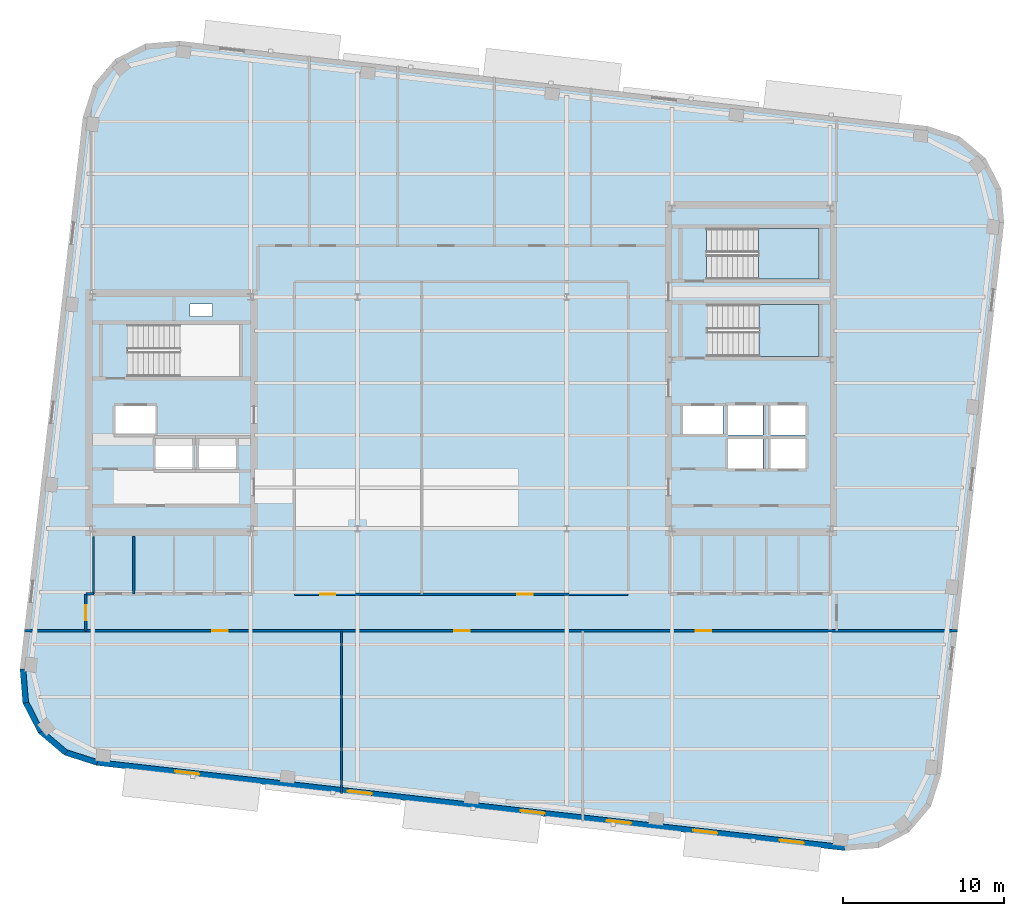
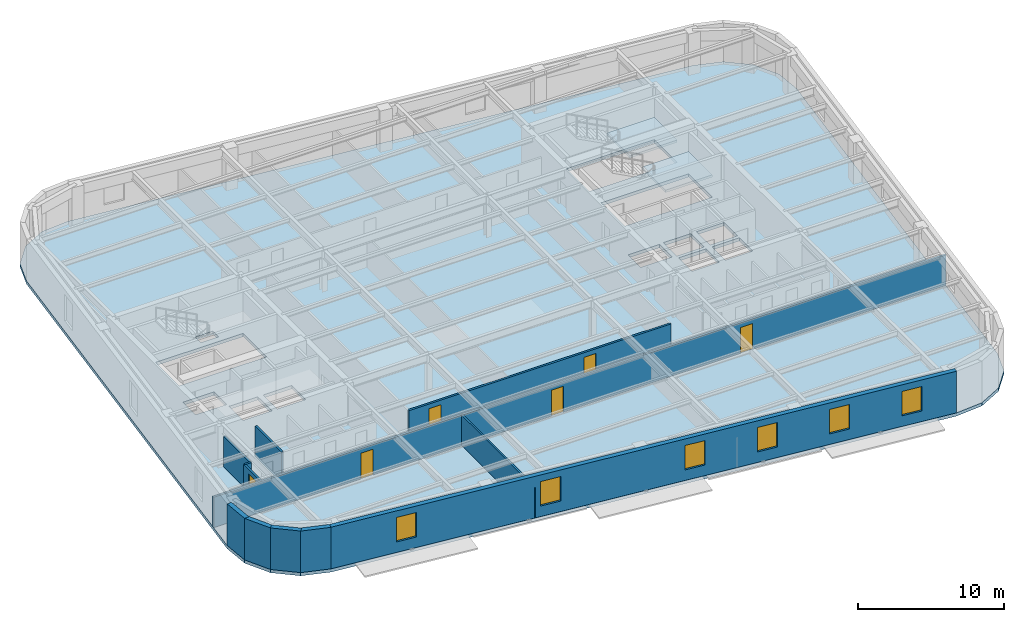
# One storey, part 5 of 13: 12 walls, 6 doors, 6 windows, 3 slabs, 12 openings, 2 elements without a shape of their own.
"""IFC4 building model written with IfcOpenShell, lengths in metres."""

from ifc_helpers import new_model, si_unit, direction, frame, frame_2d, origin, place, context, subcontext, project, spatial, polyline, rectangle, outline, extrude, material, layer, layer_set, type_object, element, fill, aggregate, save


model = new_model("IFC4")

# Units and contexts
model_context = context("Model", 3, precision=1e-05, world=origin(), true_north=direction((0.0, 1.0)))
body_context = subcontext(model_context, "Body", "Model", "MODEL_VIEW")
ifc_project = project(units=[si_unit("LENGTHUNIT", "METRE"), si_unit("AREAUNIT", "SQUARE_METRE"), si_unit("VOLUMEUNIT", "CUBIC_METRE"), si_unit("PLANEANGLEUNIT", "RADIAN"), si_unit("MASSUNIT", "GRAM", prefix="KILO")], contexts=[model_context])

# Site, building, storey
site_placement = place(None, origin())
site = spatial("IfcSite", under=ifc_project, at=site_placement, CompositionType="ELEMENT")
building_placement = place(site_placement, origin())
building = spatial("IfcBuilding", under=site, at=building_placement, Name="Kolvaren Arena Tower", CompositionType="ELEMENT")
storey_placement = place(building_placement, frame((0.0, 0.0, 254.699951171875)))
storey = spatial("IfcBuildingStorey", under=building, at=storey_placement, Name="L62", CompositionType="ELEMENT", Elevation=254.699951171875)

# Stair, slab
ifc_material_1 = material(Name="Concrete 45 MPa", Category="concrete")
stair_type_1 = type_object("IfcStairType", Name="STAIR-CORE-165", PredefinedType="HALF_TURN_STAIR", material=ifc_material_1)
stair_1_placement = place(storey_placement, origin())
stair_1 = element("IfcStair", 1, at=stair_1_placement, inside=storey, type_object=stair_type_1, Name="L62 ST-E1", PredefinedType="HALF_TURN_STAIR")
ifc_layer_1 = layer(ifc_material_1, 0.199951171875)
ifc_layer_set_1 = layer_set([ifc_layer_1], Name="Concrete 45 MPa")
slab_type_1 = type_object("IfcSlabType", Name="SLAB-LAND", PredefinedType="LANDING", material=ifc_layer_set_1)
slab_1_placement = place(storey_placement, frame((0.0, 0.0, 1.675048828125)))
slab_1 = element("IfcSlab", 2, at=slab_1_placement, type_object=slab_type_1, Name="ST-E1 landing 1", PredefinedType="LANDING", context=body_context, shape_type="SweptSolid", body=[
    extrude(outline(polyline([(55.9599609375, 30.14990234375), (59.659912109375, 30.14990234375), (59.659912109375, 33.3798828125), (55.9599609375, 33.3798828125), (55.9599609375, 30.14990234375)])), origin(), (0.0, 0.0, 1.0), 0.199951171875),
])
aggregate(stair_1, [slab_1])

stair_type_2 = type_object("IfcStairType", Name="STAIR-CORE-150", PredefinedType="HALF_TURN_STAIR", material=ifc_material_1)
stair_2_placement = place(storey_placement, origin())
stair_2 = element("IfcStair", 3, at=stair_2_placement, inside=storey, type_object=stair_type_2, Name="L62 ST-E2", PredefinedType="HALF_TURN_STAIR")
slab_2_placement = place(storey_placement, frame((0.0, 0.0, 1.675048828125)))
slab_2 = element("IfcSlab", 4, at=slab_2_placement, type_object=slab_type_1, Name="ST-E2 landing 1", PredefinedType="LANDING", context=body_context, shape_type="SweptSolid", body=[
    extrude(outline(polyline([(55.919921875, 34.949951171875), (59.659912109375, 34.949951171875), (59.659912109375, 38.10009765625), (55.919921875, 38.10009765625), (55.919921875, 34.949951171875)])), origin(), (0.0, 0.0, 1.0), 0.199951171875),
])
aggregate(stair_2, [slab_2])

# Slab
ifc_layer_2 = layer(ifc_material_1, 0.27001953125)
ifc_layer_set_2 = layer_set([ifc_layer_2], Name="Concrete 45 MPa")
slab_type_2 = type_object("IfcSlabType", Name="SLAB-OFF2", PredefinedType="FLOOR", material=ifc_layer_set_2)
slab_3_placement = place(storey_placement, frame((0.0, 0.0, -0.27001953125)))
element("IfcSlab", 5, at=slab_3_placement, inside=storey, type_object=slab_type_2, Name="L62 Primary Structural Slab", PredefinedType="FLOOR", context=body_context, shape_type="SweptSolid", body=[
    extrude(outline(polyline([(61.285400390625, -0.553466796875), (63.38525390625, -0.37890625), (65.25830078125, 0.585693359375), (66.619873046875, 2.194091796875), (67.26220703125, 4.20068359375), (71.16748046875, 38.47900390625), (70.9931640625, 40.57861328125), (70.0283203125, 42.45166015625), (68.42041015625, 43.81298828125), (66.41357421875, 44.455322265625), (19.91455078125, 49.75341796875), (17.814697265625, 49.578857421875), (15.941650390625, 48.6142578125), (14.580078125, 47.006103515625), (13.93798828125, 44.99951171875), (10.032470703125, 10.72119140625), (10.206787109375, 8.621337890625), (11.171630859375, 6.748291015625), (12.77978515625, 5.386962890625), (14.786376953125, 4.74462890625), (61.285400390625, -0.553466796875)]), holes=[polyline([(20.739990234375, 23.135009765625), (18.4599609375, 23.135009765625), (18.4599609375, 25.06494140625), (20.739990234375, 25.06494140625), (20.739990234375, 23.135009765625)]), polyline([(21.159912109375, 23.135009765625), (21.159912109375, 25.06494140625), (23.43994140625, 25.06494140625), (23.43994140625, 23.135009765625), (21.159912109375, 23.135009765625)]), polyline([(56.2099609375, 23.18505859375), (54.030029296875, 23.18505859375), (54.030029296875, 25.014892578125), (56.2099609375, 25.014892578125), (56.2099609375, 23.18505859375)]), polyline([(56.669921875, 23.18505859375), (56.669921875, 25.014892578125), (58.85009765625, 25.014892578125), (58.85009765625, 23.18505859375), (56.669921875, 23.18505859375)]), polyline([(54.030029296875, 25.284912109375), (54.030029296875, 27.114990234375), (56.2099609375, 27.114990234375), (56.2099609375, 25.284912109375), (54.030029296875, 25.284912109375)]), polyline([(58.85009765625, 25.284912109375), (56.669921875, 25.284912109375), (56.669921875, 27.114990234375), (58.85009765625, 27.114990234375), (58.85009765625, 25.284912109375)]), polyline([(15.9599609375, 25.3349609375), (15.9599609375, 27.06494140625), (18.43994140625, 27.06494140625), (18.43994140625, 25.3349609375), (15.9599609375, 25.3349609375)]), polyline([(53.699951171875, 25.3349609375), (51.219970703125, 25.3349609375), (51.219970703125, 27.06494140625), (53.699951171875, 27.06494140625), (53.699951171875, 25.3349609375)]), polyline([(16.735107421875, 28.89990234375), (16.735107421875, 32.1298828125), (23.659912109375, 32.1298828125), (23.659912109375, 28.89990234375), (16.735107421875, 28.89990234375)]), polyline([(52.735107421875, 30.14990234375), (52.735107421875, 33.3798828125), (59.659912109375, 33.3798828125), (59.659912109375, 30.14990234375), (52.735107421875, 30.14990234375)]), polyline([(20.60009765625, 32.6201171875), (20.60009765625, 33.39990234375), (22.0, 33.39990234375), (22.0, 32.6201171875), (20.60009765625, 32.6201171875)]), polyline([(52.695068359375, 34.949951171875), (52.695068359375, 38.10009765625), (59.659912109375, 38.10009765625), (59.659912109375, 34.949951171875), (52.695068359375, 34.949951171875)])]), origin(), (0.0, 0.0, 1.0), 0.27001953125),
])

# Wall, openings, doors
ifc_material_2 = material(Name="Gypsum board acoustic assembly", Category="gypsum")
ifc_layer_3 = layer(ifc_material_2, 0.159912109375)
ifc_layer_set_3 = layer_set([ifc_layer_3], Name="Gypsum board acoustic assembly")
wall_type_1 = type_object("IfcWallType", Name="CORR-160", PredefinedType="PARTITIONING", material=ifc_layer_set_3)
wall_1_placement = place(storey_placement, frame((10.303466796875, 13.10009765625, 0.0), z_axis=(0.0, 0.0, 1.0), x_axis=(1.0, 0.0, 0.0)))
wall_1 = element("IfcWall", 6, at=wall_1_placement, inside=storey, type_object=wall_type_1, Name="Interior Partition Wall (L62)", PredefinedType="PARTITIONING", context=body_context, shape_type="SweptSolid", body=[
    extrude(rectangle(XDim=57.97265625, YDim=0.159912109375, at=frame_2d((28.986328125, 0.0))), origin(), (0.0, 0.0, 1.0), 2.5400390625),
])
opening_1_placement = place(wall_1_placement, frame((11.671630859375, 0.0, 0.0)))
opening_1 = element("IfcOpeningElement", 7, at=opening_1_placement, cuts=wall_1, Name="Opening D05", PredefinedType="OPENING", context=body_context, shape_type="SweptSolid", body=[
    extrude(rectangle(XDim=0.949951171875, YDim=2.14990234375, at=frame_2d((0.47509765625, 1.074951171875))), frame((0.0, 0.08984375, 0.0), z_axis=(0.0, -1.0, 0.0), x_axis=(1.0, 0.0, 0.0)), (0.0, 0.0, 1.0), 0.179931640625),
])
opening_2_placement = place(wall_1_placement, frame((26.7216796875, 0.0, 0.0)))
opening_2 = element("IfcOpeningElement", 8, at=opening_2_placement, cuts=wall_1, Name="Opening D05", PredefinedType="OPENING", context=body_context, shape_type="SweptSolid", body=[
    extrude(rectangle(XDim=0.949951171875, YDim=2.14990234375, at=frame_2d((0.47509765625, 1.074951171875))), frame((0.0, 0.08984375, 0.0), z_axis=(0.0, -1.0, 0.0), x_axis=(1.0, 0.0, 0.0)), (0.0, 0.0, 1.0), 0.179931640625),
])
opening_3_placement = place(wall_1_placement, frame((41.7216796875, 0.0, 0.0)))
opening_3 = element("IfcOpeningElement", 9, at=opening_3_placement, cuts=wall_1, Name="Opening D05", PredefinedType="OPENING", context=body_context, shape_type="SweptSolid", body=[
    extrude(rectangle(XDim=0.949951171875, YDim=2.14990234375, at=frame_2d((0.47509765625, 1.074951171875))), frame((0.0, 0.08984375, 0.0), z_axis=(0.0, -1.0, 0.0), x_axis=(1.0, 0.0, 0.0)), (0.0, 0.0, 1.0), 0.179931640625),
])
ifc_material_3 = material(Name="Solid-core oak acoustic office door", Category="wood")
door_type = type_object("IfcDoorType", Name="DOOR-OF-095", OperationType="NOTDEFINED", PredefinedType="DOOR", material=ifc_material_3)
door_1_placement = place(opening_1_placement, origin())
door_1 = element("IfcDoor", 10, at=door_1_placement, inside=storey, type_object=door_type, Name="Open Plan Office Door (L62)", OperationType="SINGLE_SWING_RIGHT", OverallHeight=2.14990234375, OverallWidth=0.949951171875, PredefinedType="DOOR", context=body_context, shape_type="SweptSolid", body=[
    extrude(rectangle(XDim=0.949951171875, YDim=2.14990234375, at=frame_2d((0.47509765625, 1.074951171875))), frame((0.0, 0.02490234375, 0.0), z_axis=(0.0, -1.0, 0.0), x_axis=(1.0, 0.0, 0.0)), (0.0, 0.0, 1.0), 0.050048828125),
])
fill(opening_1, door_1)
door_2_placement = place(opening_2_placement, origin())
door_2 = element("IfcDoor", 11, at=door_2_placement, inside=storey, type_object=door_type, Name="Tenant Reception Area Door (L62)", OperationType="SINGLE_SWING_LEFT", OverallHeight=2.14990234375, OverallWidth=0.949951171875, PredefinedType="DOOR", context=body_context, shape_type="SweptSolid", body=[
    extrude(rectangle(XDim=0.949951171875, YDim=2.14990234375, at=frame_2d((0.47509765625, 1.074951171875))), frame((0.0, 0.02490234375, 0.0), z_axis=(0.0, -1.0, 0.0), x_axis=(1.0, 0.0, 0.0)), (0.0, 0.0, 1.0), 0.050048828125),
])
fill(opening_2, door_2)
door_3_placement = place(opening_3_placement, origin())
door_3 = element("IfcDoor", 12, at=door_3_placement, inside=storey, type_object=door_type, Name="Open Plan Office Door (L62)", OperationType="SINGLE_SWING_RIGHT", OverallHeight=2.14990234375, OverallWidth=0.949951171875, PredefinedType="DOOR", context=body_context, shape_type="SweptSolid", body=[
    extrude(rectangle(XDim=0.949951171875, YDim=2.14990234375, at=frame_2d((0.47509765625, 1.074951171875))), frame((0.0, 0.02490234375, 0.0), z_axis=(0.0, -1.0, 0.0), x_axis=(1.0, 0.0, 0.0)), (0.0, 0.0, 1.0), 0.050048828125),
])
fill(opening_3, door_3)

wall_2_placement = place(storey_placement, frame((27.080078125, 15.3798828125, 0.0), z_axis=(0.0, 0.0, 1.0), x_axis=(1.0, 0.0, 0.0)))
wall_2 = element("IfcWall", 13, at=wall_2_placement, inside=storey, type_object=wall_type_1, Name="Interior Partition Wall (L62)", PredefinedType="PARTITIONING", context=body_context, shape_type="SweptSolid", body=[
    extrude(rectangle(XDim=20.739990234375, YDim=0.159912109375, at=frame_2d((10.3701171875, 0.0))), origin(), (0.0, 0.0, 1.0), 2.5400390625),
])
opening_4_placement = place(wall_2_placement, frame((1.594970703125, 0.0, 0.0)))
opening_4 = element("IfcOpeningElement", 14, at=opening_4_placement, cuts=wall_2, Name="Opening D05", PredefinedType="OPENING", context=body_context, shape_type="SweptSolid", body=[
    extrude(rectangle(XDim=0.949951171875, YDim=2.14990234375, at=frame_2d((0.47509765625, 1.074951171875))), frame((0.0, 0.08984375, 0.0), z_axis=(0.0, -1.0, 0.0), x_axis=(1.0, 0.0, 0.0)), (0.0, 0.0, 1.0), 0.179931640625),
])
opening_5_placement = place(wall_2_placement, frame((13.844970703125, 0.0, 0.0)))
opening_5 = element("IfcOpeningElement", 15, at=opening_5_placement, cuts=wall_2, Name="Opening D05", PredefinedType="OPENING", context=body_context, shape_type="SweptSolid", body=[
    extrude(rectangle(XDim=0.949951171875, YDim=2.14990234375, at=frame_2d((0.47509765625, 1.074951171875))), frame((0.0, 0.08984375, 0.0), z_axis=(0.0, -1.0, 0.0), x_axis=(1.0, 0.0, 0.0)), (0.0, 0.0, 1.0), 0.179931640625),
])
door_4_placement = place(opening_4_placement, origin())
door_4 = element("IfcDoor", 16, at=door_4_placement, inside=storey, type_object=door_type, Name="Open Plan Office Door (L62)", OperationType="SINGLE_SWING_RIGHT", OverallHeight=2.14990234375, OverallWidth=0.949951171875, PredefinedType="DOOR", context=body_context, shape_type="SweptSolid", body=[
    extrude(rectangle(XDim=0.949951171875, YDim=2.14990234375, at=frame_2d((0.47509765625, 1.074951171875))), frame((0.0, 0.02490234375, 0.0), z_axis=(0.0, -1.0, 0.0), x_axis=(1.0, 0.0, 0.0)), (0.0, 0.0, 1.0), 0.050048828125),
])
fill(opening_4, door_4)
door_5_placement = place(opening_5_placement, origin())
door_5 = element("IfcDoor", 17, at=door_5_placement, inside=storey, type_object=door_type, Name="Collaborative Work Studio Door (L62)", OperationType="SINGLE_SWING_LEFT", OverallHeight=2.14990234375, OverallWidth=0.949951171875, PredefinedType="DOOR", context=body_context, shape_type="SweptSolid", body=[
    extrude(rectangle(XDim=0.949951171875, YDim=2.14990234375, at=frame_2d((0.47509765625, 1.074951171875))), frame((0.0, 0.02490234375, 0.0), z_axis=(0.0, -1.0, 0.0), x_axis=(1.0, 0.0, 0.0)), (0.0, 0.0, 1.0), 0.050048828125),
])
fill(opening_5, door_5)

# Wall, opening, door
wall_3_placement = place(storey_placement, frame((14.1201171875, 13.10009765625, 0.0), z_axis=(0.0, 0.0, 1.0), x_axis=(0.0, 1.0, 0.0)))
wall_3 = element("IfcWall", 18, at=wall_3_placement, inside=storey, type_object=wall_type_1, Name="Interior Partition Wall (L62)", PredefinedType="PARTITIONING", context=body_context, shape_type="SweptSolid", body=[
    extrude(rectangle(XDim=2.2998046875, YDim=0.159912109375, at=frame_2d((1.14990234375, 0.0))), origin(), (0.0, 0.0, 1.0), 2.5400390625),
])
opening_6_placement = place(wall_3_placement, frame((0.64990234375, 0.0, 0.0)))
opening_6 = element("IfcOpeningElement", 19, at=opening_6_placement, cuts=wall_3, Name="Opening D05", PredefinedType="OPENING", context=body_context, shape_type="SweptSolid", body=[
    extrude(rectangle(XDim=0.949951171875, YDim=2.14990234375, at=frame_2d((0.47509765625, 1.074951171875))), frame((0.0, 0.08984375, 0.0), z_axis=(0.0, -1.0, 0.0), x_axis=(1.0, 0.0, 0.0)), (0.0, 0.0, 1.0), 0.179931640625),
])
door_6_placement = place(opening_6_placement, origin())
door_6 = element("IfcDoor", 20, at=door_6_placement, inside=storey, type_object=door_type, Name="West Wing Office Door (L62)", OperationType="SINGLE_SWING_LEFT", OverallHeight=2.14990234375, OverallWidth=0.949951171875, PredefinedType="DOOR", context=body_context, shape_type="SweptSolid", body=[
    extrude(rectangle(XDim=0.949951171875, YDim=2.14990234375, at=frame_2d((0.47509765625, 1.074951171875))), frame((0.0, 0.02490234375, 0.0), z_axis=(0.0, -1.0, 0.0), x_axis=(1.0, 0.0, 0.0)), (0.0, 0.0, 1.0), 0.050048828125),
])
fill(opening_6, door_6)

# Walls
wall_4_placement = place(storey_placement, frame((14.1201171875, 15.39990234375, 0.0), z_axis=(0.0, 0.0, 1.0), x_axis=(1.0, 0.0, 0.0)))
element("IfcWall", 21, at=wall_4_placement, inside=storey, type_object=wall_type_1, Name="Interior Partition Wall (L62)", PredefinedType="PARTITIONING", context=body_context, shape_type="SweptSolid", body=[
    extrude(rectangle(XDim=0.5, YDim=0.159912109375, at=frame_2d((0.25, 0.0))), origin(), (0.0, 0.0, 1.0), 2.5400390625),
])
ifc_material_4 = material(Name="Precast concrete C50/60", Category="concrete")
ifc_layer_4 = layer(ifc_material_4, 0.360107421875)
ifc_layer_set_4 = layer_set([ifc_layer_4], Name="Precast concrete C50/60")
wall_type_2 = type_object("IfcWallType", Name="EXT-PIER2", PredefinedType="SOLIDWALL", material=ifc_layer_set_4)
wall_5_placement = place(storey_placement, frame((10.38623046875, 8.63623046875, 0.0), z_axis=(0.0, 0.0, 1.0), x_axis=(-0.082729038891, 0.996572077737, 0.0)))
element("IfcWall", 22, at=wall_5_placement, inside=storey, type_object=wall_type_2, Name="Exterior Precast Masonry-Frame Wall (L62)", PredefinedType="SOLIDWALL", context=body_context, shape_type="SweptSolid", body=[
    extrude(rectangle(XDim=2.107177734375, YDim=0.360107421875, at=frame_2d((1.0537109375, 0.0))), origin(), (0.0, 0.0, 1.0), 3.47998046875),
])
for number, where, z_axis, x_axis, name in (
    (23, (11.33154296875, 6.830810546875, 0.0), (0.0, 0.0, 1.0), (-0.457934390142, 0.888985992199, 0.0), "Exterior Precast Masonry-Frame Wall (L62)"),
    (24, (12.89599609375, 5.5244140625, 0.0), (0.0, 0.0, 1.0), (-0.763250018691, 0.646103249464, 0.0), "Exterior Precast Masonry-Frame Wall (L62)"),
    (25, (14.84130859375, 4.916015625, 0.0), (0.0, 0.0, 1.0), (-0.952393196904, 0.304872429864, 0.0), "Exterior Precast Masonry-Frame Wall (L62)"),
):
    element("IfcWall", number, at=place(storey_placement, frame(where, z_axis=z_axis, x_axis=x_axis)), inside=storey, type_object=wall_type_2, Name=name, PredefinedType="SOLIDWALL", context=body_context, shape_type="SweptSolid", body=[
        extrude(rectangle(XDim=2.10693359375, YDim=0.360107421875, at=frame_2d((1.053466796875, 0.0))), origin(), (0.0, 0.0, 1.0), 3.47998046875),
    ])

# Wall, openings, windows
wall_6_placement = place(storey_placement, frame((61.305908203125, -0.37451171875, 0.0), z_axis=(0.0, 0.0, 1.0), x_axis=(-0.993571958919, 0.113202307616, 0.0)))
wall_6 = element("IfcWall", 26, at=wall_6_placement, inside=storey, type_object=wall_type_2, Name="Exterior Precast Masonry-Frame Wall (L62)", PredefinedType="SOLIDWALL", context=body_context, shape_type="SweptSolid", body=[
    extrude(rectangle(XDim=46.7998046875, YDim=0.360107421875, at=frame_2d((23.39990234375, 0.0))), origin(), (0.0, 0.0, 1.0), 3.47998046875),
])
opening_7_placement = place(wall_6_placement, frame((2.60009765625, 0.0, 0.8798828125)))
opening_7 = element("IfcOpeningElement", 27, at=opening_7_placement, cuts=wall_6, Name="Opening W03", PredefinedType="OPENING", context=body_context, shape_type="SweptSolid", body=[
    extrude(rectangle(XDim=1.5, YDim=2.050048828125, at=frame_2d((0.75, 1.02490234375))), frame((0.0, 0.18994140625, 0.0), z_axis=(0.0, -1.0, 0.0), x_axis=(1.0, 0.0, 0.0)), (0.0, 0.0, 1.0), 0.380126953125),
])
opening_8_placement = place(wall_6_placement, frame((8.0, 0.0, 0.8798828125)))
opening_8 = element("IfcOpeningElement", 28, at=opening_8_placement, cuts=wall_6, Name="Opening W03", PredefinedType="OPENING", context=body_context, shape_type="SweptSolid", body=[
    extrude(rectangle(XDim=1.5, YDim=2.050048828125, at=frame_2d((0.75, 1.02490234375))), frame((0.0, 0.18994140625, 0.0), z_axis=(0.0, -1.0, 0.0), x_axis=(1.0, 0.0, 0.0)), (0.0, 0.0, 1.0), 0.380126953125),
])
opening_9_placement = place(wall_6_placement, frame((13.39990234375, 0.0, 0.8798828125)))
opening_9 = element("IfcOpeningElement", 29, at=opening_9_placement, cuts=wall_6, Name="Opening W03", PredefinedType="OPENING", context=body_context, shape_type="SweptSolid", body=[
    extrude(rectangle(XDim=1.5, YDim=2.050048828125, at=frame_2d((0.75, 1.02490234375))), frame((0.0, 0.18994140625, 0.0), z_axis=(0.0, -1.0, 0.0), x_axis=(1.0, 0.0, 0.0)), (0.0, 0.0, 1.0), 0.380126953125),
])
opening_10_placement = place(wall_6_placement, frame((18.800048828125, 0.0, 0.8798828125)))
opening_10 = element("IfcOpeningElement", 30, at=opening_10_placement, cuts=wall_6, Name="Opening W03", PredefinedType="OPENING", context=body_context, shape_type="SweptSolid", body=[
    extrude(rectangle(XDim=1.5, YDim=2.050048828125, at=frame_2d((0.75, 1.02490234375))), frame((0.0, 0.18994140625, 0.0), z_axis=(0.0, -1.0, 0.0), x_axis=(1.0, 0.0, 0.0)), (0.0, 0.0, 1.0), 0.380126953125),
])
opening_11_placement = place(wall_6_placement, frame((29.60009765625, 0.0, 0.8798828125)))
opening_11 = element("IfcOpeningElement", 31, at=opening_11_placement, cuts=wall_6, Name="Opening W03", PredefinedType="OPENING", context=body_context, shape_type="SweptSolid", body=[
    extrude(rectangle(XDim=1.5, YDim=2.050048828125, at=frame_2d((0.75, 1.02490234375))), frame((0.0, 0.18994140625, 0.0), z_axis=(0.0, -1.0, 0.0), x_axis=(1.0, 0.0, 0.0)), (0.0, 0.0, 1.0), 0.380126953125),
])
opening_12_placement = place(wall_6_placement, frame((40.39990234375, 0.0, 0.8798828125)))
opening_12 = element("IfcOpeningElement", 32, at=opening_12_placement, cuts=wall_6, Name="Opening W03", PredefinedType="OPENING", context=body_context, shape_type="SweptSolid", body=[
    extrude(rectangle(XDim=1.5, YDim=2.050048828125, at=frame_2d((0.75, 1.02490234375))), frame((0.0, 0.18994140625, 0.0), z_axis=(0.0, -1.0, 0.0), x_axis=(1.0, 0.0, 0.0)), (0.0, 0.0, 1.0), 0.380126953125),
])
ifc_material_5 = material(Name="Triple-glazed low-E aluminium window", Category="aluminium")
window_type = type_object("IfcWindowType", Name="WIN-OFF-C", PartitioningType="SINGLE_PANEL", PredefinedType="WINDOW", material=ifc_material_5)
window_1_placement = place(opening_7_placement, origin())
window_1 = element("IfcWindow", 33, at=window_1_placement, inside=storey, type_object=window_type, Name="Punched Precast-Pier Window (L62)", OverallHeight=2.050048828125, OverallWidth=1.5, PartitioningType="SINGLE_PANEL", PredefinedType="WINDOW", context=body_context, shape_type="SweptSolid", body=[
    extrude(rectangle(XDim=1.5, YDim=2.050048828125, at=frame_2d((0.75, 1.02490234375))), frame((0.0, 0.030029296875, 0.0), z_axis=(0.0, -1.0, 0.0), x_axis=(1.0, 0.0, 0.0)), (0.0, 0.0, 1.0), 0.06005859375),
])
fill(opening_7, window_1)
window_2_placement = place(opening_8_placement, origin())
window_2 = element("IfcWindow", 34, at=window_2_placement, inside=storey, type_object=window_type, Name="Punched Precast-Pier Window (L62)", OverallHeight=2.050048828125, OverallWidth=1.5, PartitioningType="SINGLE_PANEL", PredefinedType="WINDOW", context=body_context, shape_type="SweptSolid", body=[
    extrude(rectangle(XDim=1.5, YDim=2.050048828125, at=frame_2d((0.75, 1.02490234375))), frame((0.0, 0.030029296875, 0.0), z_axis=(0.0, -1.0, 0.0), x_axis=(1.0, 0.0, 0.0)), (0.0, 0.0, 1.0), 0.06005859375),
])
fill(opening_8, window_2)
window_3_placement = place(opening_9_placement, origin())
window_3 = element("IfcWindow", 35, at=window_3_placement, inside=storey, type_object=window_type, Name="Punched Precast-Pier Window (L62)", OverallHeight=2.050048828125, OverallWidth=1.5, PartitioningType="SINGLE_PANEL", PredefinedType="WINDOW", context=body_context, shape_type="SweptSolid", body=[
    extrude(rectangle(XDim=1.5, YDim=2.050048828125, at=frame_2d((0.75, 1.02490234375))), frame((0.0, 0.030029296875, 0.0), z_axis=(0.0, -1.0, 0.0), x_axis=(1.0, 0.0, 0.0)), (0.0, 0.0, 1.0), 0.06005859375),
])
fill(opening_9, window_3)
window_4_placement = place(opening_10_placement, origin())
window_4 = element("IfcWindow", 36, at=window_4_placement, inside=storey, type_object=window_type, Name="Punched Precast-Pier Window (L62)", OverallHeight=2.050048828125, OverallWidth=1.5, PartitioningType="SINGLE_PANEL", PredefinedType="WINDOW", context=body_context, shape_type="SweptSolid", body=[
    extrude(rectangle(XDim=1.5, YDim=2.050048828125, at=frame_2d((0.75, 1.02490234375))), frame((0.0, 0.030029296875, 0.0), z_axis=(0.0, -1.0, 0.0), x_axis=(1.0, 0.0, 0.0)), (0.0, 0.0, 1.0), 0.06005859375),
])
fill(opening_10, window_4)
window_5_placement = place(opening_11_placement, origin())
window_5 = element("IfcWindow", 37, at=window_5_placement, inside=storey, type_object=window_type, Name="Punched Precast-Pier Window (L62)", OverallHeight=2.050048828125, OverallWidth=1.5, PartitioningType="SINGLE_PANEL", PredefinedType="WINDOW", context=body_context, shape_type="SweptSolid", body=[
    extrude(rectangle(XDim=1.5, YDim=2.050048828125, at=frame_2d((0.75, 1.02490234375))), frame((0.0, 0.030029296875, 0.0), z_axis=(0.0, -1.0, 0.0), x_axis=(1.0, 0.0, 0.0)), (0.0, 0.0, 1.0), 0.06005859375),
])
fill(opening_11, window_5)
window_6_placement = place(opening_12_placement, origin())
window_6 = element("IfcWindow", 38, at=window_6_placement, inside=storey, type_object=window_type, Name="Punched Precast-Pier Window (L62)", OverallHeight=2.050048828125, OverallWidth=1.5, PartitioningType="SINGLE_PANEL", PredefinedType="WINDOW", context=body_context, shape_type="SweptSolid", body=[
    extrude(rectangle(XDim=1.5, YDim=2.050048828125, at=frame_2d((0.75, 1.02490234375))), frame((0.0, 0.030029296875, 0.0), z_axis=(0.0, -1.0, 0.0), x_axis=(1.0, 0.0, 0.0)), (0.0, 0.0, 1.0), 0.06005859375),
])
fill(opening_12, window_6)

# Walls
ifc_material_6 = material(Name="Gypsum board partition assembly", Category="gypsum")
ifc_layer_5 = layer(ifc_material_6, 0.135009765625)
ifc_layer_set_5 = layer_set([ifc_layer_5], Name="Gypsum board partition assembly")
wall_type_3 = type_object("IfcWallType", Name="PART-135", PredefinedType="PARTITIONING", material=ifc_layer_set_5)
wall_7_placement = place(storey_placement, frame((30.0, 3.01123046875, 0.0), z_axis=(0.0, 0.0, 1.0), x_axis=(0.0, 1.0, 0.0)))
element("IfcWall", 39, at=wall_7_placement, inside=storey, type_object=wall_type_3, Name="Interior Partition Wall (L62)", PredefinedType="PARTITIONING", context=body_context, shape_type="SweptSolid", body=[
    extrude(rectangle(XDim=10.0888671875, YDim=0.135009765625, at=frame_2d((5.04443359375, 0.0))), origin(), (0.0, 0.0, 1.0), 2.5400390625),
])
ifc_material_7 = material(Name="Moisture-resistant gypsum assembly", Category="gypsum")
ifc_layer_6 = layer(ifc_material_7, 0.14990234375)
ifc_layer_set_6 = layer_set([ifc_layer_6], Name="Moisture-resistant gypsum assembly")
wall_type_4 = type_object("IfcWallType", Name="WETW-150", PredefinedType="PARTITIONING", material=ifc_layer_set_6)
for number, where, z_axis, x_axis, name in (
    (40, (17.10009765625, 15.39990234375, 0.0), (0.0, 0.0, 1.0), (0.0, 1.0, 0.0), "Interior Partition Wall (L62)"),
    (41, (14.60009765625, 15.39990234375, 0.0), (0.0, 0.0, 1.0), (0.0, 1.0, 0.0), "Interior Partition Wall (L62)"),
):
    element("IfcWall", number, at=place(storey_placement, frame(where, z_axis=z_axis, x_axis=x_axis)), inside=storey, type_object=wall_type_4, Name=name, PredefinedType="PARTITIONING", context=body_context, shape_type="SweptSolid", body=[
        extrude(rectangle(XDim=3.580078125, YDim=0.14990234375, at=frame_2d((1.7900390625, 0.0))), origin(), (0.0, 0.0, 1.0), 2.5400390625),
    ])

save(model, "model.ifc")
